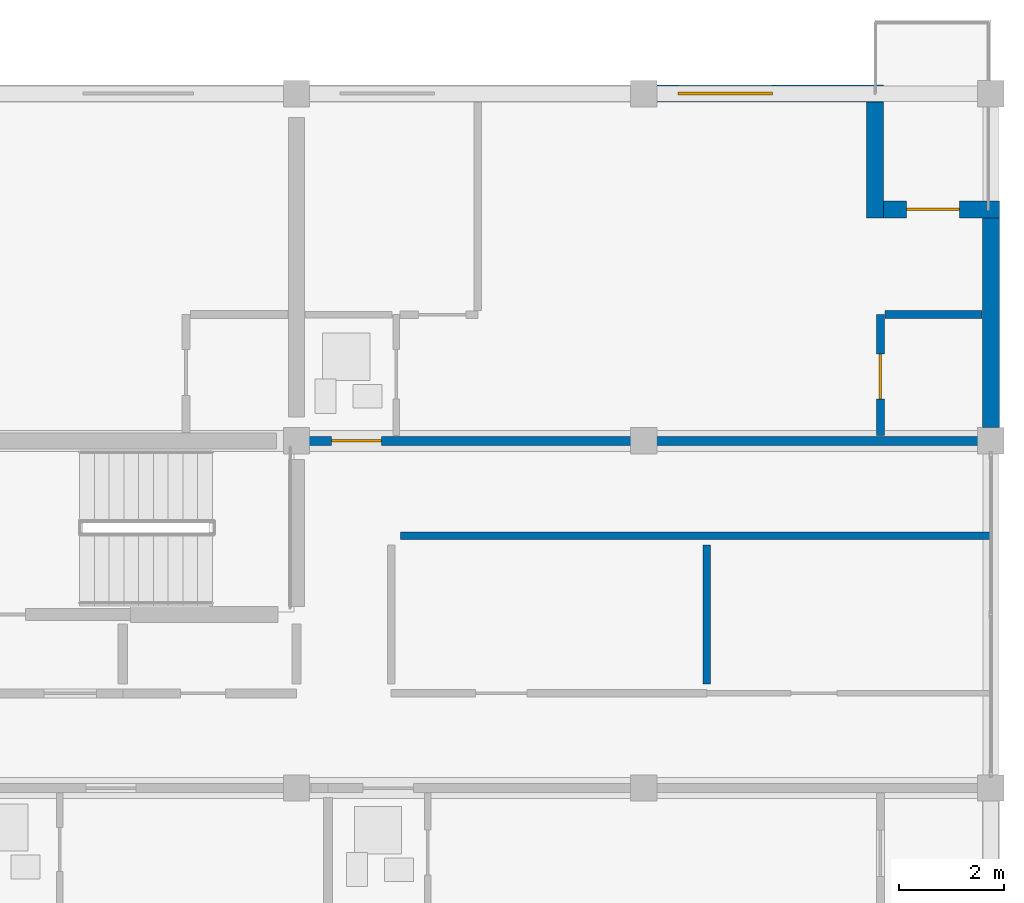
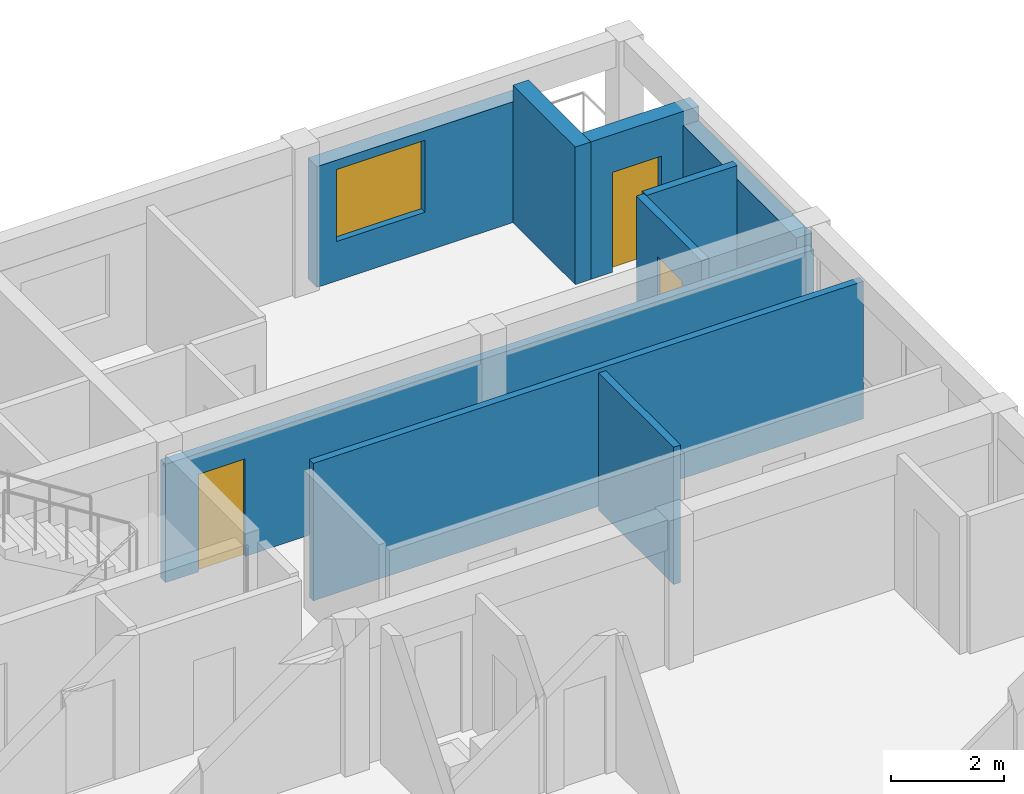
# One storey, part 38 of 45: 9 walls, 3 doors, 1 window, 4 openings.
"""IFC4 building model written with IfcOpenShell, lengths in metres."""

from ifc_helpers import new_model, si_unit, direction, frame, frame_2d, origin, place, context, subcontext, project, spatial, rectangle, extrude, material, layer, layer_set, type_object, element, fill, save


model = new_model("IFC4")

# Units and contexts
model_context = context("Model", 3, precision=1e-05, world=origin(), true_north=direction((0.0, 1.0)))
body_context = subcontext(model_context, "Body", "Model", "MODEL_VIEW")
ifc_project = project(units=[si_unit("LENGTHUNIT", "METRE"), si_unit("AREAUNIT", "SQUARE_METRE"), si_unit("VOLUMEUNIT", "CUBIC_METRE"), si_unit("PLANEANGLEUNIT", "RADIAN"), si_unit("MASSUNIT", "GRAM", prefix="KILO")], contexts=[model_context])

# Site, building, storey
site_placement = place(None, origin())
site = spatial("IfcSite", under=ifc_project, at=site_placement, CompositionType="ELEMENT")
building_placement = place(site_placement, origin())
building = spatial("IfcBuilding", under=site, at=building_placement, Name="Kernevlak Ridge Housing Community", CompositionType="ELEMENT")
storey_placement = place(building_placement, frame((0.0, 0.0, 21.199951171875)))
storey = spatial("IfcBuildingStorey", under=building, at=storey_placement, Name="L06", CompositionType="ELEMENT", Elevation=21.199951171875)

# Wall, opening, window
ifc_material_1 = material(Name="Concrete block masonry M10", Category="masonry")
ifc_layer_1 = layer(ifc_material_1, 0.320068359375, Name="Concrete block masonry M10")
ifc_layer_set_1 = layer_set([ifc_layer_1], Name="Concrete block masonry M10")
wall_type_1 = type_object("IfcWallType", Name="EW-02", PredefinedType="STANDARD", material=ifc_layer_set_1)
wall_1_placement = place(storey_placement, frame((146.050048828125, 102.39990234375, 0.0), z_axis=(0.0, 0.0, 1.0), x_axis=(1.0, 0.0, 0.0)))
wall_1 = element("IfcWall", 1, at=wall_1_placement, inside=storey, type_object=wall_type_1, Name="Exterior wall EW-02 L06 396", PredefinedType="STANDARD", context=body_context, shape_type="SweptSolid", body=[
    extrude(rectangle(XDim=4.31005859375, YDim=0.320068359375, at=frame_2d((2.155029296875, 0.0))), origin(), (0.0, 0.0, 1.0), 2.60009765625),
])
opening_1_placement = place(wall_1_placement, frame((0.39990234375, 0.0, 0.85009765625)))
opening_1 = element("IfcOpeningElement", 2, at=opening_1_placement, cuts=wall_1, Name="Opening WT-04", PredefinedType="OPENING", context=body_context, shape_type="SweptSolid", body=[
    extrude(rectangle(XDim=1.800048828125, YDim=1.550048828125, at=frame_2d((0.89990234375, 0.77490234375))), frame((0.0, 0.169921875, 0.0), z_axis=(0.0, -1.0, 0.0), x_axis=(1.0, 0.0, 0.0)), (0.0, 0.0, 1.0), 0.340087890625),
])
ifc_material_2 = material(Name="Aluminium EN AW-6060 anodised and laminated glass", Category="aluminium")
window_type = type_object("IfcWindowType", Name="WT-04", PartitioningType="SINGLE_PANEL", PredefinedType="WINDOW", material=ifc_material_2)
window_placement = place(opening_1_placement, origin())
window = element("IfcWindow", 3, at=window_placement, inside=storey, type_object=window_type, Name="Window WT-04 L06 308", OverallHeight=1.550048828125, OverallWidth=1.800048828125, PartitioningType="SINGLE_PANEL", PredefinedType="WINDOW", context=body_context, shape_type="SweptSolid", body=[
    extrude(rectangle(XDim=1.800048828125, YDim=1.550048828125, at=frame_2d((0.89990234375, 0.77490234375))), frame((0.0, 0.030029296875, 0.0), z_axis=(0.0, -1.0, 0.0), x_axis=(1.0, 0.0, 0.0)), (0.0, 0.0, 1.0), 0.06005859375),
])
fill(opening_1, window)

# Wall
wall_2_placement = place(storey_placement, frame((150.199951171875, 102.239990234375, 0.0), z_axis=(0.0, 0.0, 1.0), x_axis=(0.0, -1.0, 0.0)))
element("IfcWall", 4, at=wall_2_placement, inside=storey, type_object=wall_type_1, Name="Exterior wall EW-02 L06 397", PredefinedType="STANDARD", context=body_context, shape_type="SweptSolid", body=[
    extrude(rectangle(XDim=2.199951171875, YDim=0.320068359375, at=frame_2d((1.10009765625, 0.0))), origin(), (0.0, 0.0, 1.0), 2.9599609375),
])

# Wall, opening, door
wall_3_placement = place(storey_placement, frame((150.360107421875, 100.199951171875, 0.0), z_axis=(0.0, 0.0, 1.0), x_axis=(1.0, 0.0, 0.0)))
wall_3 = element("IfcWall", 5, at=wall_3_placement, inside=storey, type_object=wall_type_1, Name="Exterior wall EW-02 L06 398", PredefinedType="STANDARD", context=body_context, shape_type="SweptSolid", body=[
    extrude(rectangle(XDim=2.199951171875, YDim=0.320068359375, at=frame_2d((1.10009765625, 0.0))), origin(), (0.0, 0.0, 1.0), 2.9599609375),
])
opening_2_placement = place(wall_3_placement, frame((0.43994140625, 0.0, 0.0)))
opening_2 = element("IfcOpeningElement", 6, at=opening_2_placement, cuts=wall_3, Name="Opening D797", PredefinedType="OPENING", context=body_context, shape_type="SweptSolid", body=[
    extrude(rectangle(XDim=1.0, YDim=2.14990234375, at=frame_2d((0.5, 1.074951171875))), frame((0.0, 0.169921875, 0.0), z_axis=(0.0, -1.0, 0.0), x_axis=(1.0, 0.0, 0.0)), (0.0, 0.0, 1.0), 0.340087890625),
])
ifc_material_3 = material(Name="Aluminium EN AW-6060 and laminated safety glass", Category="aluminium")
door_type_1 = type_object("IfcDoorType", Name="DT-08", OperationType="NOTDEFINED", PredefinedType="DOOR", material=ifc_material_3)
door_1_placement = place(opening_2_placement, origin())
door_1 = element("IfcDoor", 7, at=door_1_placement, inside=storey, type_object=door_type_1, Name="Flat B0623 corner balcony glazed door D797", OperationType="SINGLE_SWING_LEFT", OverallHeight=2.14990234375, OverallWidth=1.0, PredefinedType="DOOR", context=body_context, shape_type="SweptSolid", body=[
    extrude(rectangle(XDim=1.0, YDim=2.14990234375, at=frame_2d((0.5, 1.074951171875))), frame((0.0, 0.02490234375, 0.0), z_axis=(0.0, -1.0, 0.0), x_axis=(1.0, 0.0, 0.0)), (0.0, 0.0, 1.0), 0.050048828125),
])
fill(opening_2, door_1)

# Wall
wall_4_placement = place(storey_placement, frame((152.39990234375, 96.050048828125, 0.0), z_axis=(0.0, 0.0, 1.0), x_axis=(0.0, 1.0, 0.0)))
element("IfcWall", 8, at=wall_4_placement, inside=storey, type_object=wall_type_1, Name="Exterior wall EW-02 L06 402", PredefinedType="STANDARD", context=body_context, shape_type="SweptSolid", body=[
    extrude(rectangle(XDim=3.989990234375, YDim=0.320068359375, at=frame_2d((1.9951171875, 0.0))), origin(), (0.0, 0.0, 1.0), 2.650146484375),
])

# Wall, opening, door
ifc_layer_2 = layer(ifc_material_1, 0.175048828125, Name="Concrete block masonry M10")
ifc_layer_set_2 = layer_set([ifc_layer_2], Name="Concrete block masonry M10")
wall_type_2 = type_object("IfcWallType", Name="PW-02", PredefinedType="PARTITIONING", material=ifc_layer_set_2)
wall_5_placement = place(storey_placement, frame((139.199951171875, 95.800048828125, 0.0), z_axis=(0.0, 0.0, 1.0), x_axis=(1.0, 0.0, 0.0)))
wall_5 = element("IfcWall", 9, at=wall_5_placement, inside=storey, type_object=wall_type_2, Name="Interior wall PW-02 WAL-INT-L06-1567", PredefinedType="PARTITIONING", context=body_context, shape_type="SweptSolid", body=[
    extrude(rectangle(XDim=13.199951171875, YDim=0.175048828125, at=frame_2d((6.60009765625, 0.0))), origin(), (0.0, 0.0, 1.0), 2.550048828125),
])
opening_3_placement = place(wall_5_placement, frame((0.669921875, 0.0, 0.0)))
opening_3 = element("IfcOpeningElement", 10, at=opening_3_placement, cuts=wall_5, Name="Opening D793", PredefinedType="OPENING", context=body_context, shape_type="SweptSolid", body=[
    extrude(rectangle(XDim=0.949951171875, YDim=2.10009765625, at=frame_2d((0.47509765625, 1.050048828125))), frame((0.0, 0.097412109375, 0.0), z_axis=(0.0, -1.0, 0.0), x_axis=(1.0, 0.0, 0.0)), (0.0, 0.0, 1.0), 0.195068359375),
])
ifc_material_4 = material(Name="Hardwood timber solid-core fire leaf", Category="wood")
door_type_2 = type_object("IfcDoorType", Name="DT-01", OperationType="NOTDEFINED", PredefinedType="DOOR", material=ifc_material_4)
door_2_placement = place(opening_3_placement, origin())
door_2 = element("IfcDoor", 11, at=door_2_placement, inside=storey, type_object=door_type_2, Name="Flat B0623 entrance fire door D793", OperationType="SINGLE_SWING_LEFT", OverallHeight=2.10009765625, OverallWidth=0.949951171875, PredefinedType="DOOR", context=body_context, shape_type="SweptSolid", body=[
    extrude(rectangle(XDim=0.949951171875, YDim=2.10009765625, at=frame_2d((0.47509765625, 1.050048828125))), frame((0.0, 0.02490234375, 0.0), z_axis=(0.0, -1.0, 0.0), x_axis=(1.0, 0.0, 0.0)), (0.0, 0.0, 1.0), 0.050048828125),
])
fill(opening_3, door_2)

# Walls
ifc_layer_3 = layer(ifc_material_1, 0.14501953125, Name="Concrete block masonry M10")
ifc_layer_set_3 = layer_set([ifc_layer_3], Name="Concrete block masonry M10")
wall_type_3 = type_object("IfcWallType", Name="PW-03", PredefinedType="PARTITIONING", material=ifc_layer_set_3)
wall_6_placement = place(storey_placement, frame((147.0, 91.179931640625, 0.0), z_axis=(0.0, 0.0, 1.0), x_axis=(0.0, 1.0, 0.0)))
element("IfcWall", 12, at=wall_6_placement, inside=storey, type_object=wall_type_3, Name="Interior wall PW-03 WAL-INT-L06-1527", PredefinedType="PARTITIONING", context=body_context, shape_type="SweptSolid", body=[
    extrude(rectangle(XDim=2.64013671875, YDim=0.14501953125, at=frame_2d((1.320068359375, 0.0))), origin(), (0.0, 0.0, 1.0), 2.9599609375),
])
wall_7_placement = place(storey_placement, frame((141.179931640625, 94.0, 0.0), z_axis=(0.0, 0.0, 1.0), x_axis=(1.0, 0.0, 0.0)))
element("IfcWall", 13, at=wall_7_placement, inside=storey, type_object=wall_type_3, Name="Interior wall PW-03 WAL-INT-L06-1528", PredefinedType="PARTITIONING", context=body_context, shape_type="SweptSolid", body=[
    extrude(rectangle(XDim=11.199951171875, YDim=0.14501953125, at=frame_2d((5.60009765625, 0.0))), origin(), (0.0, 0.0, 1.0), 2.9599609375),
])

# Wall, opening, door
ifc_material_5 = material(Name="Gypsum plasterboard EN 520", Category="gypsum")
ifc_layer_4 = layer(ifc_material_5, 0.155029296875, Name="Gypsum plasterboard EN 520")
ifc_layer_set_4 = layer_set([ifc_layer_4], Name="Gypsum plasterboard EN 520")
wall_type_4 = type_object("IfcWallType", Name="PW-05", PredefinedType="PARTITIONING", material=ifc_layer_set_4)
wall_8_placement = place(storey_placement, frame((150.300048828125, 95.8974609375, 0.0), z_axis=(0.0, 0.0, 1.0), x_axis=(0.0, 1.0, 0.0)))
wall_8 = element("IfcWall", 14, at=wall_8_placement, inside=storey, type_object=wall_type_4, Name="Interior wall PW-05 WAL-INT-L06-1570", PredefinedType="PARTITIONING", context=body_context, shape_type="SweptSolid", body=[
    extrude(rectangle(XDim=2.302490234375, YDim=0.155029296875, at=frame_2d((1.1513671875, 0.0))), origin(), (0.0, 0.0, 1.0), 2.9599609375),
])
opening_4_placement = place(wall_8_placement, frame((0.699951171875, 0.0, 0.0)))
opening_4 = element("IfcOpeningElement", 15, at=opening_4_placement, cuts=wall_8, Name="Opening D795", PredefinedType="OPENING", context=body_context, shape_type="SweptSolid", body=[
    extrude(rectangle(XDim=0.85009765625, YDim=2.10009765625, at=frame_2d((0.425048828125, 1.050048828125))), frame((0.0, 0.08740234375, 0.0), z_axis=(0.0, -1.0, 0.0), x_axis=(1.0, 0.0, 0.0)), (0.0, 0.0, 1.0), 0.175048828125),
])
ifc_material_6 = material(Name="Hardwood timber leaf", Category="wood")
door_type_3 = type_object("IfcDoorType", Name="DT-03", OperationType="NOTDEFINED", PredefinedType="DOOR", material=ifc_material_6)
door_3_placement = place(opening_4_placement, origin())
door_3 = element("IfcDoor", 16, at=door_3_placement, inside=storey, type_object=door_type_3, Name="Flat B0623 kitchen door D795", OperationType="SINGLE_SWING_LEFT", OverallHeight=2.10009765625, OverallWidth=0.85009765625, PredefinedType="DOOR", context=body_context, shape_type="SweptSolid", body=[
    extrude(rectangle(XDim=0.85009765625, YDim=2.10009765625, at=frame_2d((0.425048828125, 1.050048828125))), frame((0.0, 0.02490234375, 0.0), z_axis=(0.0, -1.0, 0.0), x_axis=(1.0, 0.0, 0.0)), (0.0, 0.0, 1.0), 0.050048828125),
])
fill(opening_4, door_3)

# Wall
wall_9_placement = place(storey_placement, frame((150.387451171875, 98.199951171875, 0.0), z_axis=(0.0, 0.0, 1.0), x_axis=(1.0, 0.0, 0.0)))
element("IfcWall", 17, at=wall_9_placement, inside=storey, type_object=wall_type_4, Name="Interior wall PW-05 WAL-INT-L06-1571", PredefinedType="PARTITIONING", context=body_context, shape_type="SweptSolid", body=[
    extrude(rectangle(XDim=1.842529296875, YDim=0.155029296875, at=frame_2d((0.92138671875, 0.0))), origin(), (0.0, 0.0, 1.0), 2.9599609375),
])

save(model, "model.ifc")
